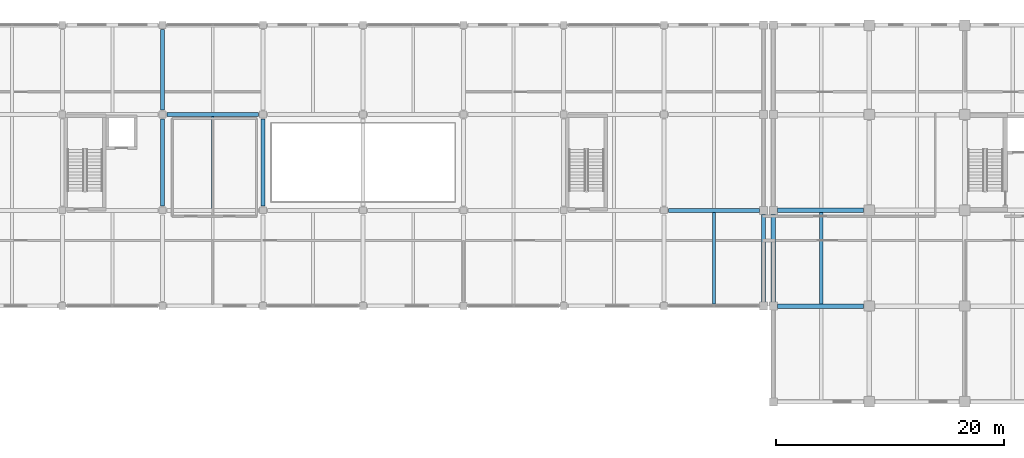
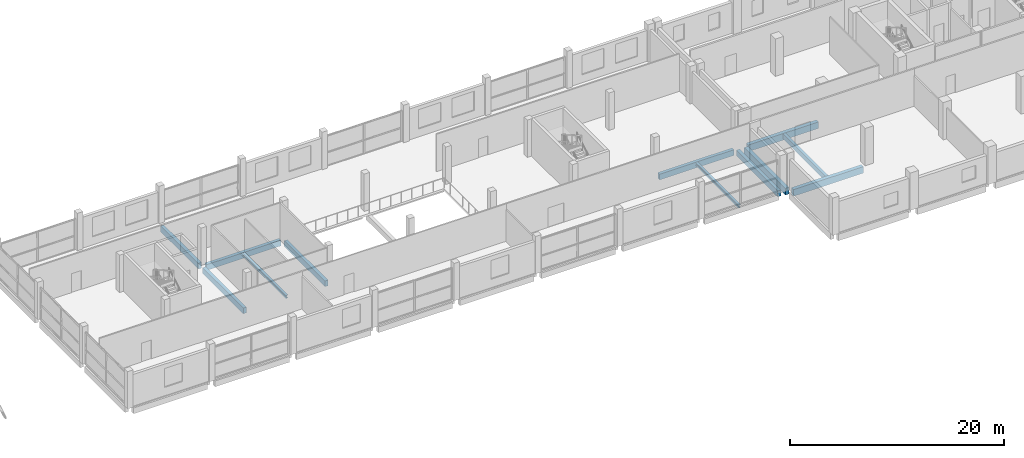
# One storey, part 10 of 38: 12 beams.
"""IFC4 building model written with IfcOpenShell, lengths in metres."""

from ifc_helpers import new_model, si_unit, direction, frame, origin, origin_2d, place, context, subcontext, project, spatial, rectangle, i_section, extrude, material, material_profile, profile_set, type_object, element, save


model = new_model("IFC4")

# Units and contexts
model_context = context("Model", 3, precision=1e-05, world=origin(), true_north=direction((0.0, 1.0)))
body_context = subcontext(model_context, "Body", "Model", "MODEL_VIEW")
ifc_project = project(units=[si_unit("LENGTHUNIT", "METRE"), si_unit("AREAUNIT", "SQUARE_METRE"), si_unit("VOLUMEUNIT", "CUBIC_METRE"), si_unit("PLANEANGLEUNIT", "RADIAN"), si_unit("MASSUNIT", "GRAM", prefix="KILO")], contexts=[model_context])

# Site, building, storey
site_placement = place(None, origin())
site = spatial("IfcSite", under=ifc_project, at=site_placement, CompositionType="ELEMENT")
building_placement = place(site_placement, origin())
building = spatial("IfcBuilding", under=site, at=building_placement, Name="Brinegate Botanical Conservatory", CompositionType="ELEMENT")
storey_placement = place(building_placement, frame((0.0, 0.0, 10.199951171875)))
storey = spatial("IfcBuildingStorey", under=building, at=storey_placement, Name="L03", CompositionType="ELEMENT", Elevation=10.199951171875)

# Beams
ifc_material_1 = material(Name="Concrete C50/60", Category="concrete")
ifc_material_profile_1 = material_profile(ifc_material_1, rectangle(XDim=0.39990234375, YDim=0.75, at=origin_2d()), Name="RC BM 400x750")
ifc_profile_set_1 = profile_set([ifc_material_profile_1], Name="Concrete C50/60")
beam_type_1 = type_object("IfcBeamType", Name="Beam_BM-T1", PredefinedType="BEAM", material=ifc_profile_set_1)
for number, where, z_axis, x_axis, name in (
    (1, (122.35009765625, 86.800048828125, -0.594970703125), (1.0, 0.0, 0.0), (0.0, 1.0, 0.0), "Beam BM-T1 L03 L:16-17"),
    (2, (122.35009765625, 95.199951171875, -0.594970703125), (1.0, 0.0, 0.0), (0.0, 1.0, 0.0), "Beam BM-T1 L03 M:16-17"),
):
    element("IfcBeam", number, at=place(storey_placement, frame(where, z_axis=z_axis, x_axis=x_axis)), inside=storey, type_object=beam_type_1, Name=name, PredefinedType="BEAM", context=body_context, shape_type="SweptSolid", body=[
        extrude(rectangle(XDim=0.39990234375, YDim=0.75, at=origin_2d()), origin(), (0.0, 0.0, 1.0), 7.5498046875),
    ])
beam_1_placement = place(storey_placement, frame((122.0, 87.14990234375, -0.594970703125), z_axis=(0.0, 1.0, 0.0), x_axis=(-1.0, 0.0, 0.0)))
element("IfcBeam", 3, at=beam_1_placement, inside=storey, type_object=beam_type_1, Name="Beam BM-T1 L03 16:L-M", PredefinedType="BEAM", context=body_context, shape_type="SweptSolid", body=[
    extrude(rectangle(XDim=0.39990234375, YDim=0.75, at=origin_2d()), origin(), (0.0, 0.0, 1.0), 7.7001953125),
])
ifc_material_2 = material(Name="Concrete C40/50", Category="concrete")
ifc_material_profile_2 = material_profile(ifc_material_2, rectangle(XDim=0.35009765625, YDim=0.64990234375, at=origin_2d()), Name="RC BM 350x650")
ifc_profile_set_2 = profile_set([ifc_material_profile_2], Name="Concrete C40/50")
beam_type_2 = type_object("IfcBeamType", Name="Beam_BM-V3", PredefinedType="BEAM", material=ifc_profile_set_2)
for number, where, z_axis, x_axis, name in (
    (4, (112.800048828125, 95.199951171875, -0.544921875), (1.0, 0.0, 0.0), (0.0, 1.0, 0.0), "Beam BM-V3 L03 M:14-15"),
    (5, (68.800048828125, 103.60009765625, -0.544921875), (1.0, 0.0, 0.0), (0.0, 1.0, 0.0), "Beam BM-V3 L03 N:9-10"),
):
    element("IfcBeam", number, at=place(storey_placement, frame(where, z_axis=z_axis, x_axis=x_axis)), inside=storey, type_object=beam_type_2, Name=name, PredefinedType="BEAM", context=body_context, shape_type="SweptSolid", body=[
        extrude(rectangle(XDim=0.35009765625, YDim=0.64990234375, at=origin_2d()), origin(), (0.0, 0.0, 1.0), 8.0),
    ])
beam_2_placement = place(storey_placement, frame((68.39990234375, 95.60009765625, -0.544921875), z_axis=(0.0, 1.0, 0.0), x_axis=(-1.0, 0.0, 0.0)))
element("IfcBeam", 6, at=beam_2_placement, inside=storey, type_object=beam_type_2, Name="Beam BM-V3 L03 9:M-N", PredefinedType="BEAM", context=body_context, shape_type="SweptSolid", body=[
    extrude(rectangle(XDim=0.35009765625, YDim=0.64990234375, at=origin_2d()), origin(), (0.0, 0.0, 1.0), 7.599853515625),
])
beam_3_placement = place(storey_placement, frame((68.39990234375, 104.0, -0.544921875), z_axis=(0.0, 1.0, 0.0), x_axis=(-1.0, 0.0, 0.0)))
element("IfcBeam", 7, at=beam_3_placement, inside=storey, type_object=beam_type_2, Name="Beam BM-V3 L03 9:N-P", PredefinedType="BEAM", context=body_context, shape_type="SweptSolid", body=[
    extrude(rectangle(XDim=0.35009765625, YDim=0.64990234375, at=origin_2d()), origin(), (0.0, 0.0, 1.0), 7.050048828125),
])
beam_4_placement = place(storey_placement, frame((77.199951171875, 95.60009765625, -0.544921875), z_axis=(0.0, 1.0, 0.0), x_axis=(-1.0, 0.0, 0.0)))
element("IfcBeam", 8, at=beam_4_placement, inside=storey, type_object=beam_type_2, Name="Beam BM-V3 L03 10:M-N", PredefinedType="BEAM", context=body_context, shape_type="SweptSolid", body=[
    extrude(rectangle(XDim=0.35009765625, YDim=0.64990234375, at=origin_2d()), origin(), (0.0, 0.0, 1.0), 7.599853515625),
])
beam_5_placement = place(storey_placement, frame((121.14990234375, 87.14990234375, -0.544921875), z_axis=(0.0, 1.0, 0.0), x_axis=(-1.0, 0.0, 0.0)))
element("IfcBeam", 9, at=beam_5_placement, inside=storey, type_object=beam_type_2, Name="Beam BM-V3 L03 15:L-M", PredefinedType="BEAM", context=body_context, shape_type="SweptSolid", body=[
    extrude(rectangle(XDim=0.35009765625, YDim=0.64990234375, at=origin_2d()), origin(), (0.0, 0.0, 1.0), 7.7001953125),
])
ifc_material_profile_3 = material_profile(ifc_material_2, rectangle(XDim=0.300048828125, YDim=0.550048828125, at=origin_2d()), Name="RC JST 300x550")
ifc_profile_set_3 = profile_set([ifc_material_profile_3], Name="Concrete C40/50")
beam_type_3 = type_object("IfcBeamType", Name="Beam_JS-C1", PredefinedType="JOIST", material=ifc_profile_set_3)
beam_6_placement = place(storey_placement, frame((126.199951171875, 87.0, -0.494873046875), z_axis=(0.0, 1.0, 0.0), x_axis=(-1.0, 0.0, 0.0)))
element("IfcBeam", 10, at=beam_6_placement, inside=storey, type_object=beam_type_3, Name="Floor joist JS-C1 L03 bay 16.11", PredefinedType="JOIST", context=body_context, shape_type="SweptSolid", body=[
    extrude(rectangle(XDim=0.300048828125, YDim=0.550048828125, at=origin_2d()), origin(), (0.0, 0.0, 1.0), 8.0),
])
ifc_material_3 = material(Name="Structural steel Q355B / S355", Category="steel")
ifc_material_profile_4 = material_profile(ifc_material_3, i_section(OverallWidth=0.25, OverallDepth=0.340087890625, WebThickness=0.009033203125, FlangeThickness=0.013916015625, at=origin_2d()), Name="HM 340x250x9x14")
ifc_profile_set_4 = profile_set([ifc_material_profile_4], Name="Structural steel Q355B / S355")
beam_type_4 = type_object("IfcBeamType", Name="Beam_JS-S5", PredefinedType="JOIST", material=ifc_profile_set_4)
beam_7_placement = place(storey_placement, frame((72.800048828125, 95.375, -0.389892578125), z_axis=(0.0, 1.0, 0.0), x_axis=(-1.0, 0.0, 0.0)))
element("IfcBeam", 11, at=beam_7_placement, inside=storey, type_object=beam_type_4, Name="Floor joist JS-S5 L03 bay 9.12", PredefinedType="JOIST", context=body_context, shape_type="SweptSolid", body=[
    extrude(i_section(OverallWidth=0.25, OverallDepth=0.340087890625, WebThickness=0.009033203125, FlangeThickness=0.013916015625, at=origin_2d()), origin(), (0.0, 0.0, 1.0), 8.050048828125),
])
beam_8_placement = place(storey_placement, frame((116.77490234375, 86.97509765625, -0.389892578125), z_axis=(0.0, 1.0, 0.0), x_axis=(-1.0, 0.0, 0.0)))
element("IfcBeam", 12, at=beam_8_placement, inside=storey, type_object=beam_type_4, Name="Floor joist JS-S5 L03 bay 14.11", PredefinedType="JOIST", context=body_context, shape_type="SweptSolid", body=[
    extrude(i_section(OverallWidth=0.25, OverallDepth=0.340087890625, WebThickness=0.009033203125, FlangeThickness=0.013916015625, at=origin_2d()), origin(), (0.0, 0.0, 1.0), 8.0498046875),
])

save(model, "model.ifc")
